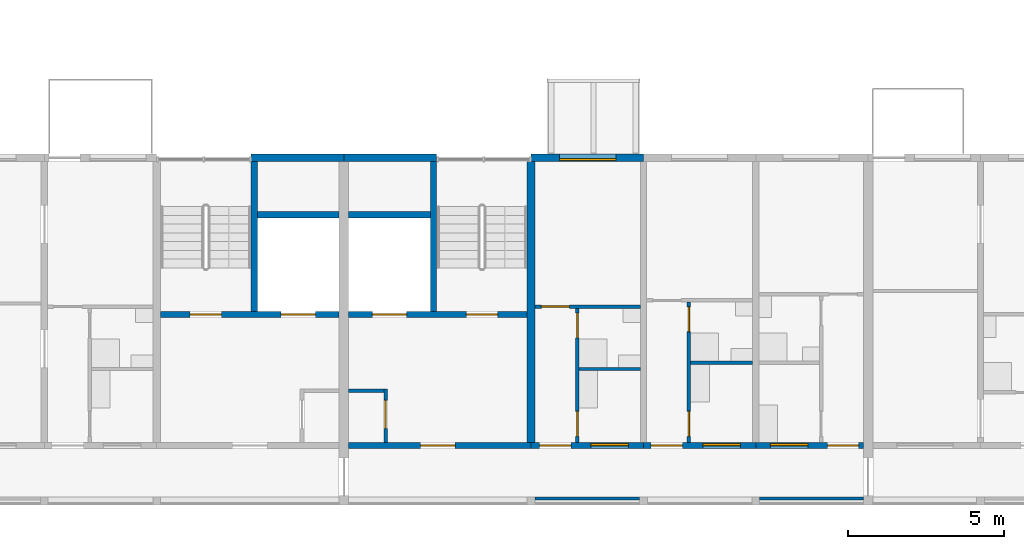
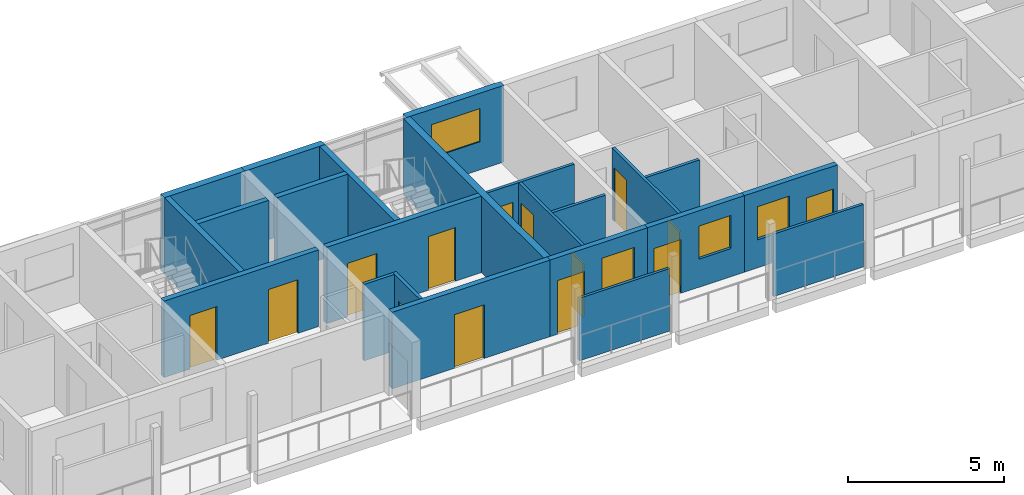
# One storey, part 48 of 87: 23 walls, 14 doors, 4 windows, 18 openings.
"""IFC4 building model written with IfcOpenShell, lengths in metres."""

import ifcopenshell
import ifcopenshell.guid

model = None  # the IFC model being written
_history = None  # IfcOwnerHistory: only IFC2X3 demands one
_inside = {}  # id of a spatial element -> (the spatial element, [elements in it])
_under = {}  # id of a project, library or spatial element -> (it, [spatial elements below it])
_declared = {}  # id of a project -> (the project, [libraries it declares])
_typed = {}  # id of a type object -> (the type object, [elements of that type])
_made_of = {}  # id of a material, layer set ... -> (it, [elements and type objects made of it])


def new_model(schema):
    """Start an empty IFC model of exactly this schema.

    Asked for "IFC4X3", IfcOpenShell would pick the latest addendum, in which some entities
    have other attributes; the version numbers below select the first issue.
    IFC2X3 requires an IfcOwnerHistory on every rooted entity: one is made here for all.
    """
    global model, _history
    if schema == "IFC4X3":
        model = ifcopenshell.file(schema_version=(4, 3, 0, 0))
    else:
        model = ifcopenshell.file(schema=schema)
    _inside.clear()
    _under.clear()
    _declared.clear()
    _typed.clear()
    _made_of.clear()
    _history = None
    if model.schema == "IFC2X3":
        org = make("IfcOrganization", Name="unknown")
        user = make(
            "IfcPersonAndOrganization",
            ThePerson=make("IfcPerson", FamilyName="unknown"),
            TheOrganization=org,
        )
        app = make(
            "IfcApplication",
            ApplicationDeveloper=org,
            Version="unknown",
            ApplicationFullName="unknown",
            ApplicationIdentifier="unknown",
        )
        _history = make(
            "IfcOwnerHistory",
            OwningUser=user,
            OwningApplication=app,
            ChangeAction="ADDED",
            CreationDate=0,
        )
    return model


def make(cls, **values):
    """One entity of the class cls with the attributes given. An attribute that is None is left unset."""
    return model.create_entity(
        cls, **{name: value for name, value in values.items() if value is not None}
    )


def rooted(cls, **values):
    """An entity with a GlobalId (a new one), such as an element, a storey or a relation."""
    return make(cls, GlobalId=ifcopenshell.guid.new(), OwnerHistory=_history, **values)


def si_unit(unit_type, name, prefix=None):
    """IfcSIUnit, for example si_unit("LENGTHUNIT", "METRE", prefix="MILLI")."""
    return make("IfcSIUnit", UnitType=unit_type, Prefix=prefix, Name=name)


def assignment(units):
    """IfcUnitAssignment: the units of a project."""
    return None if units is None else make("IfcUnitAssignment", Units=units)


def point(xyz):
    """IfcCartesianPoint."""
    return None if xyz is None else make("IfcCartesianPoint", Coordinates=xyz)


def direction(xyz):
    """IfcDirection."""
    return None if xyz is None else make("IfcDirection", DirectionRatios=xyz)


def frame(location, z_axis=None, x_axis=None):
    """IfcAxis2Placement3D, a coordinate frame: its origin and axes. An axis left out is left unset."""
    return make(
        "IfcAxis2Placement3D",
        Location=point(location),
        Axis=direction(z_axis),
        RefDirection=direction(x_axis),
    )


def frame_2d(location, x_axis=None):
    """IfcAxis2Placement2D, a coordinate frame in the plane: its origin and x axis."""
    return make(
        "IfcAxis2Placement2D", Location=point(location), RefDirection=direction(x_axis)
    )


def origin():
    """The frame at (0, 0, 0) with its axes left unset."""
    return frame((0.0, 0.0, 0.0))


def place(relative_to, where):
    """IfcLocalPlacement: puts the frame where relative to a parent placement (None: the world)."""
    return make(
        "IfcLocalPlacement", PlacementRelTo=relative_to, RelativePlacement=where
    )


def context(
    kind, dimensions, precision=None, world=None, true_north=None, identifier=None
):
    """IfcGeometricRepresentationContext, for example the 3D "Model" context."""
    return make(
        "IfcGeometricRepresentationContext",
        ContextIdentifier=identifier,
        ContextType=kind,
        CoordinateSpaceDimension=dimensions,
        Precision=precision,
        WorldCoordinateSystem=world,
        TrueNorth=true_north,
    )


def subcontext(parent, identifier, kind, view, scale=None):
    """IfcGeometricRepresentationSubContext, for example "Body" below "Model"."""
    return make(
        "IfcGeometricRepresentationSubContext",
        ContextIdentifier=identifier,
        ContextType=kind,
        ParentContext=parent,
        TargetScale=scale,
        TargetView=view,
    )


def project(units=None, contexts=None):
    """IfcProject with its units and contexts."""
    return rooted(
        "IfcProject",
        Name="project",
        RepresentationContexts=contexts,
        UnitsInContext=assignment(units),
    )


def spatial(cls, under=None, at=None, **own):
    """A site, building, storey or space (cls), placed at a placement, below another one or the project."""
    s = rooted(cls, ObjectPlacement=at, **own)
    if under is not None:
        _under.setdefault(under.id(), (under, []))[1].append(s)
    return s


def profile(cls, at=None, kind="AREA", **sizes):
    """A parametric profile (cls). Its sizes go by their IFC names, for example OverallWidth=200.0."""
    return make(cls, ProfileType=kind, Position=at, **sizes)


def rectangle(**sizes):
    """IfcRectangleProfileDef."""
    return profile("IfcRectangleProfileDef", **sizes)


def extrude(swept, where, along, depth):
    """IfcExtrudedAreaSolid: the profile swept, set in the frame where, extruded along a direction by depth."""
    return make(
        "IfcExtrudedAreaSolid",
        SweptArea=swept,
        Position=where,
        ExtrudedDirection=direction(along),
        Depth=depth,
    )


def shape(context_of_items, identifier, shape_type, items):
    """IfcShapeRepresentation: the items that make up one representation, for example the "Body"."""
    return make(
        "IfcShapeRepresentation",
        ContextOfItems=context_of_items,
        RepresentationIdentifier=identifier,
        RepresentationType=shape_type,
        Items=items,
    )


def material(Name=None, Category=None):
    """IfcMaterial."""
    return make("IfcMaterial", Name=Name, Category=Category)


def layer(
    of_material, thickness, ventilated=None, Name=None, Category=None, Priority=None
):
    """IfcMaterialLayer: one layer of a wall or slab, of a material (None: an air gap)."""
    return make(
        "IfcMaterialLayer",
        Material=of_material,
        LayerThickness=thickness,
        IsVentilated=ventilated,
        Name=Name,
        Category=Category,
        Priority=Priority,
    )


def layer_set(layers, Name=None):
    """IfcMaterialLayerSet."""
    return make("IfcMaterialLayerSet", MaterialLayers=layers, LayerSetName=Name)


def made_of(thing, what):
    """Note that an element or type object is made of a material, layer set ...; save() writes the relation."""
    if what is not None:
        _made_of.setdefault(what.id(), (what, []))[1].append(thing)
    return thing


def type_object(cls, material=None, **own):
    """A type object (cls), such as IfcWallType, which elements share."""
    return made_of(rooted(cls, **own), material)


def element(
    cls,
    number,
    at=None,
    inside=None,
    cuts=None,
    type_object=None,
    material=None,
    context=None,
    identifier="Body",
    shape_type=None,
    held_by="IfcProductDefinitionShape",
    body=None,
    shapes=None,
    **own,
):
    """One element of the class cls, such as IfcWall. Its Tag is "e" and its number.

    at: its placement. inside: the storey or other place that contains it. cuts: it is an
    opening in that element (IfcRelVoidsElement). A single representation is given by context,
    identifier, shape_type and body (its items); several are given by shapes. held_by: the class
    of the entity that holds the representations. save() writes the other relations.
    """
    e = rooted(cls, Tag="e%d" % number, ObjectPlacement=at, **own)
    if body is not None:
        shapes = [shape(context, identifier, shape_type, body)]
    if shapes is not None:
        e.Representation = make(held_by, Representations=shapes)
    if inside is not None:
        _inside.setdefault(inside.id(), (inside, []))[1].append(e)
    if cuts is not None:
        rooted(
            "IfcRelVoidsElement", RelatingBuildingElement=cuts, RelatedOpeningElement=e
        )
    if type_object is not None:
        _typed.setdefault(type_object.id(), (type_object, []))[1].append(e)
    return made_of(e, material)


def fill(opening, filler):
    """IfcRelFillsElement: the door or window that sits in an opening."""
    return rooted(
        "IfcRelFillsElement",
        RelatingOpeningElement=opening,
        RelatedBuildingElement=filler,
    )


def aggregate(whole, parts):
    """IfcRelAggregates: a whole, such as a stair, and the parts it consists of."""
    return rooted("IfcRelAggregates", RelatingObject=whole, RelatedObjects=parts)


def save(model, path):
    """Write the relations noted so far, then the file.

    IfcRelAggregates (storeys below a building ...), IfcRelContainedInSpatialStructure (elements
    in a storey), IfcRelDefinesByType, IfcRelAssociatesMaterial and IfcRelDeclares: one each for
    every whole, place, type object, material and project.
    """
    for whole, parts in _under.values():
        aggregate(whole, parts)
    for where, things in _inside.values():
        rooted(
            "IfcRelContainedInSpatialStructure",
            RelatedElements=things,
            RelatingStructure=where,
        )
    for kind, things in _typed.values():
        rooted("IfcRelDefinesByType", RelatedObjects=things, RelatingType=kind)
    for what, things in _made_of.values():
        rooted("IfcRelAssociatesMaterial", RelatedObjects=things, RelatingMaterial=what)
    for by, libraries in _declared.values():
        rooted("IfcRelDeclares", RelatingContext=by, RelatedDefinitions=libraries)
    model.write(path)


model = new_model("IFC4")

# Units and contexts
model_context = context("Model", 3, precision=1e-05, world=origin(), true_north=direction((0.0, 1.0)))
body_context = subcontext(model_context, "Body", "Model", "MODEL_VIEW")
ifc_project = project(units=[si_unit("LENGTHUNIT", "METRE"), si_unit("AREAUNIT", "SQUARE_METRE"), si_unit("VOLUMEUNIT", "CUBIC_METRE"), si_unit("PLANEANGLEUNIT", "RADIAN"), si_unit("MASSUNIT", "GRAM", prefix="KILO")], contexts=[model_context])

# Site, building, storey
site_placement = place(None, origin())
site = spatial("IfcSite", under=ifc_project, at=site_placement, CompositionType="ELEMENT")
building_placement = place(site_placement, origin())
building = spatial("IfcBuilding", under=site, at=building_placement, Name="Ridgestep Commons", CompositionType="ELEMENT")
storey_placement = place(building_placement, frame((0.0, 0.0, 27.0)))
storey = spatial("IfcBuildingStorey", under=building, at=storey_placement, Name="L09", CompositionType="ELEMENT", Elevation=27.0)

# Wall
ifc_material_1 = material(Name="Concrete C30/37", Category="concrete")
ifc_layer_1 = layer(ifc_material_1, 0.25)
ifc_layer_set_1 = layer_set([ifc_layer_1], Name="Core cross wall 250")
wall_type_1 = type_object("IfcWallType", Name="Core cross wall 250", PredefinedType="SHEAR", material=ifc_layer_set_1)
wall_1_placement = place(storey_placement, frame((169.60009765625, 13.75, 0.0), z_axis=(0.0, 0.0, 1.0), x_axis=(0.0, 1.0, 0.0)))
element("IfcWall", 1, at=wall_1_placement, inside=storey, type_object=wall_type_1, Name="Cross wall D-09-1696", PredefinedType="SHEAR", context=body_context, shape_type="SweptSolid", body=[
    extrude(rectangle(XDim=9.0, YDim=0.25, at=frame_2d((4.5, 0.0))), origin(), (0.0, 0.0, 1.0), 3.0),
])

# Wall, opening, door
ifc_material_2 = material(Name="Concrete C30/37", Category="concrete")
ifc_layer_2 = layer(ifc_material_2, 0.199951171875)
ifc_layer_set_2 = layer_set([ifc_layer_2], Name="Core south wall 200")
wall_type_2 = type_object("IfcWallType", Name="Core south wall 200", PredefinedType="SHEAR", material=ifc_layer_set_2)
wall_2_placement = place(storey_placement, frame((163.75, 13.64990234375, 0.0), z_axis=(0.0, 0.0, 1.0), x_axis=(1.0, 0.0, 0.0)))
wall_2 = element("IfcWall", 2, at=wall_2_placement, inside=storey, type_object=wall_type_2, Name="Core south wall D2C L09", PredefinedType="SHEAR", context=body_context, shape_type="SweptSolid", body=[
    extrude(rectangle(XDim=5.85009765625, YDim=0.199951171875, at=frame_2d((2.925048828125, 0.0))), origin(), (0.0, 0.0, 1.0), 3.0),
])
opening_1_placement = place(wall_2_placement, frame((2.3125, 0.0, 0.0)))
opening_1 = element("IfcOpeningElement", 3, at=opening_1_placement, cuts=wall_2, Name="Opening D2C/09/1", PredefinedType="OPENING", context=body_context, shape_type="SweptSolid", body=[
    extrude(rectangle(XDim=1.10009765625, YDim=2.10009765625, at=frame_2d((0.550048828125, 1.050048828125))), frame((0.0, 0.10986328125, 0.0), z_axis=(0.0, -1.0, 0.0), x_axis=(1.0, 0.0, 0.0)), (0.0, 0.0, 1.0), 0.219970703125),
])
ifc_material_3 = material(Name="Steel fire door", Category="steel")
door_type_1 = type_object("IfcDoorType", Name="Lobby door 1100 x 2100 FD60", OperationType="NOTDEFINED", PredefinedType="DOOR", material=ifc_material_3)
door_1_placement = place(opening_1_placement, origin())
door_1 = element("IfcDoor", 4, at=door_1_placement, inside=storey, type_object=door_type_1, Name="Lobby door D2C/09/1", OperationType="SINGLE_SWING_LEFT", OverallHeight=2.10009765625, OverallWidth=1.10009765625, PredefinedType="DOOR", context=body_context, shape_type="SweptSolid", body=[
    extrude(rectangle(XDim=1.10009765625, YDim=2.10009765625, at=frame_2d((0.550048828125, 1.050048828125))), frame((0.0, 0.02490234375, 0.0), z_axis=(0.0, -1.0, 0.0), x_axis=(1.0, 0.0, 0.0)), (0.0, 0.0, 1.0), 0.050048828125),
])
fill(opening_1, door_1)

ifc_material_4 = material(Name="Concrete C30/37", Category="concrete")
ifc_layer_3 = layer(ifc_material_4, 0.1201171875)
ifc_layer_set_3 = layer_set([ifc_layer_3], Name="Core wall 120")
wall_type_3 = type_object("IfcWallType", Name="Core wall 120", PredefinedType="SHEAR", material=ifc_layer_set_3)
wall_3_placement = place(storey_placement, frame((164.93994140625, 13.75, 0.0), z_axis=(0.0, 0.0, 1.0), x_axis=(0.0, 1.0, 0.0)))
wall_3 = element("IfcWall", 5, at=wall_3_placement, inside=storey, type_object=wall_type_3, Name="Core riser w wall D2C L09", PredefinedType="SHEAR", context=body_context, shape_type="SweptSolid", body=[
    extrude(rectangle(XDim=1.719970703125, YDim=0.1201171875, at=frame_2d((0.85986328125, 0.0))), origin(), (0.0, 0.0, 1.0), 3.0),
])
opening_2_placement = place(wall_3_placement, frame((0.449951171875, 0.0, 0.0)))
opening_2 = element("IfcOpeningElement", 6, at=opening_2_placement, cuts=wall_3, Name="Opening D2C/09/4", PredefinedType="OPENING", context=body_context, shape_type="SweptSolid", body=[
    extrude(rectangle(XDim=0.89990234375, YDim=2.10009765625, at=frame_2d((0.449951171875, 1.050048828125))), frame((0.0, 0.070068359375, 0.0), z_axis=(0.0, -1.0, 0.0), x_axis=(1.0, 0.0, 0.0)), (0.0, 0.0, 1.0), 0.14013671875),
])
ifc_material_5 = material(Name="Steel fire door", Category="steel")
door_type_2 = type_object("IfcDoorType", Name="Riser door 900 x 2100 FD60", OperationType="NOTDEFINED", PredefinedType="DOOR", material=ifc_material_5)
door_2_placement = place(opening_2_placement, origin())
door_2 = element("IfcDoor", 7, at=door_2_placement, inside=storey, type_object=door_type_2, Name="Riser door D2C/09/4", OperationType="SINGLE_SWING_RIGHT", OverallHeight=2.10009765625, OverallWidth=0.89990234375, PredefinedType="DOOR", context=body_context, shape_type="SweptSolid", body=[
    extrude(rectangle(XDim=0.89990234375, YDim=2.10009765625, at=frame_2d((0.449951171875, 1.050048828125))), frame((0.0, 0.02490234375, 0.0), z_axis=(0.0, -1.0, 0.0), x_axis=(1.0, 0.0, 0.0)), (0.0, 0.0, 1.0), 0.050048828125),
])
fill(opening_2, door_2)

# Wall
wall_4_placement = place(storey_placement, frame((163.75, 15.409912109375, 0.0), z_axis=(0.0, 0.0, 1.0), x_axis=(1.0, 0.0, 0.0)))
element("IfcWall", 8, at=wall_4_placement, inside=storey, type_object=wall_type_3, Name="Core riser n wall D2C L09", PredefinedType="SHEAR", context=body_context, shape_type="SweptSolid", body=[
    extrude(rectangle(XDim=1.1298828125, YDim=0.1201171875, at=frame_2d((0.56494140625, 0.0))), origin(), (0.0, 0.0, 1.0), 3.0),
])

# Wall, openings, doors
ifc_material_6 = material(Name="Concrete C30/37", Category="concrete")
ifc_layer_4 = layer(ifc_material_6, 0.199951171875)
ifc_layer_set_4 = layer_set([ifc_layer_4], Name="Core wall 200")
wall_type_4 = type_object("IfcWallType", Name="Core wall 200", PredefinedType="SHEAR", material=ifc_layer_set_4)
wall_5_placement = place(storey_placement, frame((157.72509765625, 17.85009765625, 0.0), z_axis=(0.0, 0.0, 1.0), x_axis=(1.0, 0.0, 0.0)))
wall_5 = element("IfcWall", 9, at=wall_5_placement, inside=storey, type_object=wall_type_4, Name="Core lobby wall D1C L09", PredefinedType="SHEAR", context=body_context, shape_type="SweptSolid", body=[
    extrude(rectangle(XDim=5.724853515625, YDim=0.199951171875, at=frame_2d((2.8623046875, 0.0))), origin(), (0.0, 0.0, 1.0), 3.0),
])
opening_3_placement = place(wall_5_placement, frame((0.949951171875, 0.0, 0.0)))
opening_3 = element("IfcOpeningElement", 10, at=opening_3_placement, cuts=wall_5, Name="Opening D1C/09/2", PredefinedType="OPENING", context=body_context, shape_type="SweptSolid", body=[
    extrude(rectangle(XDim=1.0, YDim=2.10009765625, at=frame_2d((0.5, 1.050048828125))), frame((0.0, 0.10986328125, 0.0), z_axis=(0.0, -1.0, 0.0), x_axis=(1.0, 0.0, 0.0)), (0.0, 0.0, 1.0), 0.219970703125),
])
opening_4_placement = place(wall_5_placement, frame((3.862548828125, 0.0, 0.0)))
opening_4 = element("IfcOpeningElement", 11, at=opening_4_placement, cuts=wall_5, Name="Opening D1C/09/3", PredefinedType="OPENING", context=body_context, shape_type="SweptSolid", body=[
    extrude(rectangle(XDim=1.10009765625, YDim=2.10009765625, at=frame_2d((0.550048828125, 1.050048828125))), frame((0.0, 0.10986328125, 0.0), z_axis=(0.0, -1.0, 0.0), x_axis=(1.0, 0.0, 0.0)), (0.0, 0.0, 1.0), 0.219970703125),
])
ifc_material_7 = material(Name="Stainless steel", Category="steel")
door_type_3 = type_object("IfcDoorType", Name="Lift landing door 1100 x 2100 FD60", OperationType="DOUBLE_DOOR_SLIDING", PredefinedType="DOOR", material=ifc_material_7)
door_3_placement = place(opening_4_placement, origin())
door_3 = element("IfcDoor", 12, at=door_3_placement, inside=storey, type_object=door_type_3, Name="Landing door LD D1C L09", OperationType="DOUBLE_DOOR_SLIDING", OverallHeight=2.10009765625, OverallWidth=1.10009765625, PredefinedType="DOOR", context=body_context, shape_type="SweptSolid", body=[
    extrude(rectangle(XDim=1.10009765625, YDim=2.10009765625, at=frame_2d((0.550048828125, 1.050048828125))), frame((0.0, 0.02490234375, 0.0), z_axis=(0.0, -1.0, 0.0), x_axis=(1.0, 0.0, 0.0)), (0.0, 0.0, 1.0), 0.050048828125),
])
fill(opening_4, door_3)
ifc_material_8 = material(Name="Steel fire door", Category="steel")
door_type_4 = type_object("IfcDoorType", Name="Stair door 1000 x 2100 FD60", OperationType="NOTDEFINED", PredefinedType="DOOR", material=ifc_material_8)
door_4_placement = place(opening_3_placement, origin())
door_4 = element("IfcDoor", 13, at=door_4_placement, inside=storey, type_object=door_type_4, Name="Stair door D1C/09/2", OperationType="SINGLE_SWING_RIGHT", OverallHeight=2.10009765625, OverallWidth=1.0, PredefinedType="DOOR", context=body_context, shape_type="SweptSolid", body=[
    extrude(rectangle(XDim=1.0, YDim=2.10009765625, at=frame_2d((0.5, 1.050048828125))), frame((0.0, 0.02490234375, 0.0), z_axis=(0.0, -1.0, 0.0), x_axis=(1.0, 0.0, 0.0)), (0.0, 0.0, 1.0), 0.050048828125),
])
fill(opening_3, door_4)

# Walls
wall_6_placement = place(storey_placement, frame((160.72509765625, 17.949951171875, 0.0), z_axis=(0.0, 0.0, 1.0), x_axis=(0.0, 1.0, 0.0)))
element("IfcWall", 14, at=wall_6_placement, inside=storey, type_object=wall_type_4, Name="Core stair wall D1C L09", PredefinedType="SHEAR", context=body_context, shape_type="SweptSolid", body=[
    extrude(rectangle(XDim=4.800048828125, YDim=0.199951171875, at=frame_2d((2.39990234375, 0.0))), origin(), (0.0, 0.0, 1.0), 3.0),
])
wall_7_placement = place(storey_placement, frame((160.824951171875, 21.050048828125, 0.0), z_axis=(0.0, 0.0, 1.0), x_axis=(1.0, 0.0, 0.0)))
element("IfcWall", 15, at=wall_7_placement, inside=storey, type_object=wall_type_4, Name="Core duct wall D1C L09", PredefinedType="SHEAR", context=body_context, shape_type="SweptSolid", body=[
    extrude(rectangle(XDim=2.625, YDim=0.199951171875, at=frame_2d((1.3125, 0.0))), origin(), (0.0, 0.0, 1.0), 3.0),
])

# Wall, openings, doors
wall_8_placement = place(storey_placement, frame((163.75, 17.85009765625, 0.0), z_axis=(0.0, 0.0, 1.0), x_axis=(1.0, 0.0, 0.0)))
wall_8 = element("IfcWall", 16, at=wall_8_placement, inside=storey, type_object=wall_type_4, Name="Core lobby wall D2C L09", PredefinedType="SHEAR", context=body_context, shape_type="SweptSolid", body=[
    extrude(rectangle(XDim=5.72509765625, YDim=0.199951171875, at=frame_2d((2.862548828125, 0.0))), origin(), (0.0, 0.0, 1.0), 3.0),
])
opening_5_placement = place(wall_8_placement, frame((3.77490234375, 0.0, 0.0)))
opening_5 = element("IfcOpeningElement", 17, at=opening_5_placement, cuts=wall_8, Name="Opening D2C/09/2", PredefinedType="OPENING", context=body_context, shape_type="SweptSolid", body=[
    extrude(rectangle(XDim=1.0, YDim=2.10009765625, at=frame_2d((0.5, 1.050048828125))), frame((0.0, 0.10986328125, 0.0), z_axis=(0.0, -1.0, 0.0), x_axis=(1.0, 0.0, 0.0)), (0.0, 0.0, 1.0), 0.219970703125),
])
opening_6_placement = place(wall_8_placement, frame((0.762451171875, 0.0, 0.0)))
opening_6 = element("IfcOpeningElement", 18, at=opening_6_placement, cuts=wall_8, Name="Opening D2C/09/3", PredefinedType="OPENING", context=body_context, shape_type="SweptSolid", body=[
    extrude(rectangle(XDim=1.10009765625, YDim=2.10009765625, at=frame_2d((0.550048828125, 1.050048828125))), frame((0.0, 0.10986328125, 0.0), z_axis=(0.0, -1.0, 0.0), x_axis=(1.0, 0.0, 0.0)), (0.0, 0.0, 1.0), 0.219970703125),
])
door_5_placement = place(opening_6_placement, origin())
door_5 = element("IfcDoor", 19, at=door_5_placement, inside=storey, type_object=door_type_3, Name="Landing door LD D2C L09", OperationType="DOUBLE_DOOR_SLIDING", OverallHeight=2.10009765625, OverallWidth=1.10009765625, PredefinedType="DOOR", context=body_context, shape_type="SweptSolid", body=[
    extrude(rectangle(XDim=1.10009765625, YDim=2.10009765625, at=frame_2d((0.550048828125, 1.050048828125))), frame((0.0, 0.02490234375, 0.0), z_axis=(0.0, -1.0, 0.0), x_axis=(1.0, 0.0, 0.0)), (0.0, 0.0, 1.0), 0.050048828125),
])
fill(opening_6, door_5)
door_6_placement = place(opening_5_placement, origin())
door_6 = element("IfcDoor", 20, at=door_6_placement, inside=storey, type_object=door_type_4, Name="Stair door D2C/09/2", OperationType="SINGLE_SWING_RIGHT", OverallHeight=2.10009765625, OverallWidth=1.0, PredefinedType="DOOR", context=body_context, shape_type="SweptSolid", body=[
    extrude(rectangle(XDim=1.0, YDim=2.10009765625, at=frame_2d((0.5, 1.050048828125))), frame((0.0, 0.02490234375, 0.0), z_axis=(0.0, -1.0, 0.0), x_axis=(1.0, 0.0, 0.0)), (0.0, 0.0, 1.0), 0.050048828125),
])
fill(opening_5, door_6)

# Walls
wall_9_placement = place(storey_placement, frame((166.47509765625, 17.949951171875, 0.0), z_axis=(0.0, 0.0, 1.0), x_axis=(0.0, 1.0, 0.0)))
element("IfcWall", 21, at=wall_9_placement, inside=storey, type_object=wall_type_4, Name="Core stair wall D2C L09", PredefinedType="SHEAR", context=body_context, shape_type="SweptSolid", body=[
    extrude(rectangle(XDim=4.800048828125, YDim=0.199951171875, at=frame_2d((2.39990234375, 0.0))), origin(), (0.0, 0.0, 1.0), 3.0),
])
wall_10_placement = place(storey_placement, frame((163.75, 21.050048828125, 0.0), z_axis=(0.0, 0.0, 1.0), x_axis=(1.0, 0.0, 0.0)))
element("IfcWall", 22, at=wall_10_placement, inside=storey, type_object=wall_type_4, Name="Core duct wall D2C L09", PredefinedType="SHEAR", context=body_context, shape_type="SweptSolid", body=[
    extrude(rectangle(XDim=2.625, YDim=0.199951171875, at=frame_2d((1.3125, 0.0))), origin(), (0.0, 0.0, 1.0), 3.0),
])
ifc_material_9 = material(Name="Precast concrete C40/50", Category="concrete")
ifc_layer_5 = layer(ifc_material_9, 0.25)
ifc_layer_set_5 = layer_set([ifc_layer_5], Name="North facade panel 250")
wall_type_5 = type_object("IfcWallType", Name="North facade panel 250", PredefinedType="SOLIDWALL", material=ifc_layer_set_5)
wall_11_placement = place(storey_placement, frame((160.625, 22.875, 0.0), z_axis=(0.0, 0.0, 1.0), x_axis=(1.0, 0.0, 0.0)))
element("IfcWall", 23, at=wall_11_placement, inside=storey, type_object=wall_type_5, Name="North panel D1C L09", PredefinedType="SOLIDWALL", context=body_context, shape_type="SweptSolid", body=[
    extrude(rectangle(XDim=2.97509765625, YDim=0.25, at=frame_2d((1.487548828125, 0.0))), origin(), (0.0, 0.0, 1.0), 3.0),
])
wall_12_placement = place(storey_placement, frame((163.60009765625, 22.875, 0.0), z_axis=(0.0, 0.0, 1.0), x_axis=(1.0, 0.0, 0.0)))
element("IfcWall", 24, at=wall_12_placement, inside=storey, type_object=wall_type_5, Name="North panel D2C L09", PredefinedType="SOLIDWALL", context=body_context, shape_type="SweptSolid", body=[
    extrude(rectangle(XDim=2.974853515625, YDim=0.25, at=frame_2d((1.4873046875, 0.0))), origin(), (0.0, 0.0, 1.0), 3.0),
])

# Wall, opening, window
wall_13_placement = place(storey_placement, frame((169.60009765625, 22.875, 0.0), z_axis=(0.0, 0.0, 1.0), x_axis=(1.0, 0.0, 0.0)))
wall_13 = element("IfcWall", 25, at=wall_13_placement, inside=storey, type_object=wall_type_5, Name="North panel D2T3 L09", PredefinedType="SOLIDWALL", context=body_context, shape_type="SweptSolid", body=[
    extrude(rectangle(XDim=3.599853515625, YDim=0.25, at=frame_2d((1.7998046875, 0.0))), origin(), (0.0, 0.0, 1.0), 3.0),
])
opening_7_placement = place(wall_13_placement, frame((0.91259765625, 0.0, 1.10009765625)))
opening_7 = element("IfcOpeningElement", 26, at=opening_7_placement, cuts=wall_13, Name="Opening W18", PredefinedType="OPENING", context=body_context, shape_type="SweptSolid", body=[
    extrude(rectangle(XDim=1.800048828125, YDim=1.300048828125, at=frame_2d((0.89990234375, 0.64990234375))), frame((0.0, 0.135009765625, 0.0), z_axis=(0.0, -1.0, 0.0), x_axis=(1.0, 0.0, 0.0)), (0.0, 0.0, 1.0), 0.27001953125),
])
ifc_material_10 = material(Name="Aluminium 6063-T6 and glass", Category="aluminium")
window_type_1 = type_object("IfcWindowType", Name="Flat window 1800 x 1300", PartitioningType="DOUBLE_PANEL_VERTICAL", PredefinedType="WINDOW", material=ifc_material_10)
window_1_placement = place(opening_7_placement, origin())
window_1 = element("IfcWindow", 27, at=window_1_placement, inside=storey, type_object=window_type_1, Name="Window D2-09c 2", OverallHeight=1.300048828125, OverallWidth=1.800048828125, PartitioningType="SINGLE_PANEL", PredefinedType="WINDOW", context=body_context, shape_type="SweptSolid", body=[
    extrude(rectangle(XDim=1.800048828125, YDim=1.300048828125, at=frame_2d((0.89990234375, 0.64990234375))), frame((0.0, -0.02490234375, 0.0), z_axis=(0.0, -1.0, 0.0), x_axis=(1.0, 0.0, 0.0)), (0.0, 0.0, 1.0), 0.06005859375),
])
fill(opening_7, window_1)

# Wall, openings, doors
ifc_material_11 = material(Name="Common brick 110 mm", Category="masonry")
ifc_layer_6 = layer(ifc_material_11, 0.110107421875)
ifc_layer_set_6 = layer_set([ifc_layer_6], Name="Partition 110")
wall_type_6 = type_object("IfcWallType", Name="Partition 110", PredefinedType="PARTITIONING", material=ifc_layer_set_6)
wall_14_placement = place(storey_placement, frame((174.655029296875, 13.75, 0.0), z_axis=(0.0, 0.0, 1.0), x_axis=(0.0, 1.0, 0.0)))
wall_14 = element("IfcWall", 28, at=wall_14_placement, inside=storey, type_object=wall_type_6, Name="Partition D2-09b", PredefinedType="PARTITIONING", context=body_context, shape_type="SweptSolid", body=[
    extrude(rectangle(XDim=4.5, YDim=0.110107421875, at=frame_2d((2.25, 0.0))), origin(), (0.0, 0.0, 1.0), 2.800048828125),
])
opening_8_placement = place(wall_14_placement, frame((0.199951171875, 0.0, 0.0)))
opening_8 = element("IfcOpeningElement", 29, at=opening_8_placement, cuts=wall_14, Name="Opening D2-09b/2", PredefinedType="OPENING", context=body_context, shape_type="SweptSolid", body=[
    extrude(rectangle(XDim=0.800048828125, YDim=2.10009765625, at=frame_2d((0.39990234375, 1.050048828125))), frame((0.0, 0.06494140625, 0.0), z_axis=(0.0, -1.0, 0.0), x_axis=(1.0, 0.0, 0.0)), (0.0, 0.0, 1.0), 0.130126953125),
])
opening_9_placement = place(wall_14_placement, frame((3.550048828125, 0.0, 0.0)))
opening_9 = element("IfcOpeningElement", 30, at=opening_9_placement, cuts=wall_14, Name="Opening D2-09b/3", PredefinedType="OPENING", context=body_context, shape_type="SweptSolid", body=[
    extrude(rectangle(XDim=0.800048828125, YDim=2.10009765625, at=frame_2d((0.39990234375, 1.050048828125))), frame((0.0, 0.06494140625, 0.0), z_axis=(0.0, -1.0, 0.0), x_axis=(1.0, 0.0, 0.0)), (0.0, 0.0, 1.0), 0.130126953125),
])
ifc_material_12 = material(Name="Timber door leaf", Category="wood")
door_type_5 = type_object("IfcDoorType", Name="Internal door 800 x 2100", OperationType="NOTDEFINED", PredefinedType="DOOR", material=ifc_material_12)
door_7_placement = place(opening_8_placement, origin())
door_7 = element("IfcDoor", 31, at=door_7_placement, inside=storey, type_object=door_type_5, Name="Internal door D2-09b/2", OperationType="SINGLE_SWING_RIGHT", OverallHeight=2.10009765625, OverallWidth=0.800048828125, PredefinedType="DOOR", context=body_context, shape_type="SweptSolid", body=[
    extrude(rectangle(XDim=0.800048828125, YDim=2.10009765625, at=frame_2d((0.39990234375, 1.050048828125))), frame((0.0, 0.02490234375, 0.0), z_axis=(0.0, -1.0, 0.0), x_axis=(1.0, 0.0, 0.0)), (0.0, 0.0, 1.0), 0.050048828125),
])
fill(opening_8, door_7)
door_8_placement = place(opening_9_placement, origin())
door_8 = element("IfcDoor", 32, at=door_8_placement, inside=storey, type_object=door_type_5, Name="Internal door D2-09b/3", OperationType="SINGLE_SWING_LEFT", OverallHeight=2.10009765625, OverallWidth=0.800048828125, PredefinedType="DOOR", context=body_context, shape_type="SweptSolid", body=[
    extrude(rectangle(XDim=0.800048828125, YDim=2.10009765625, at=frame_2d((0.39990234375, 1.050048828125))), frame((0.0, 0.02490234375, 0.0), z_axis=(0.0, -1.0, 0.0), x_axis=(1.0, 0.0, 0.0)), (0.0, 0.0, 1.0), 0.050048828125),
])
fill(opening_9, door_8)

# Wall
wall_15_placement = place(storey_placement, frame((174.7099609375, 16.304931640625, 0.0), z_axis=(0.0, 0.0, 1.0), x_axis=(1.0, 0.0, 0.0)))
element("IfcWall", 33, at=wall_15_placement, inside=storey, type_object=wall_type_6, Name="Partition D2-09b", PredefinedType="PARTITIONING", context=body_context, shape_type="SweptSolid", body=[
    extrude(rectangle(XDim=1.989990234375, YDim=0.110107421875, at=frame_2d((0.9951171875, 0.0))), origin(), (0.0, 0.0, 1.0), 2.800048828125),
])

# Wall, openings, doors
wall_16_placement = place(storey_placement, frame((171.080078125, 13.75, 0.0), z_axis=(0.0, 0.0, 1.0), x_axis=(0.0, 1.0, 0.0)))
wall_16 = element("IfcWall", 34, at=wall_16_placement, inside=storey, type_object=wall_type_6, Name="Partition D2-09c", PredefinedType="PARTITIONING", context=body_context, shape_type="SweptSolid", body=[
    extrude(rectangle(XDim=4.300048828125, YDim=0.110107421875, at=frame_2d((2.14990234375, 0.0))), origin(), (0.0, 0.0, 1.0), 2.800048828125),
])
opening_10_placement = place(wall_16_placement, frame((0.199951171875, 0.0, 0.0)))
opening_10 = element("IfcOpeningElement", 35, at=opening_10_placement, cuts=wall_16, Name="Opening D2-09c/2", PredefinedType="OPENING", context=body_context, shape_type="SweptSolid", body=[
    extrude(rectangle(XDim=0.800048828125, YDim=2.10009765625, at=frame_2d((0.39990234375, 1.050048828125))), frame((0.0, 0.06494140625, 0.0), z_axis=(0.0, -1.0, 0.0), x_axis=(1.0, 0.0, 0.0)), (0.0, 0.0, 1.0), 0.130126953125),
])
opening_11_placement = place(wall_16_placement, frame((3.35009765625, 0.0, 0.0)))
opening_11 = element("IfcOpeningElement", 36, at=opening_11_placement, cuts=wall_16, Name="Opening D2-09c/3", PredefinedType="OPENING", context=body_context, shape_type="SweptSolid", body=[
    extrude(rectangle(XDim=0.800048828125, YDim=2.10009765625, at=frame_2d((0.39990234375, 1.050048828125))), frame((0.0, 0.06494140625, 0.0), z_axis=(0.0, -1.0, 0.0), x_axis=(1.0, 0.0, 0.0)), (0.0, 0.0, 1.0), 0.130126953125),
])
door_9_placement = place(opening_10_placement, origin())
door_9 = element("IfcDoor", 37, at=door_9_placement, inside=storey, type_object=door_type_5, Name="Internal door D2-09c/2", OperationType="SINGLE_SWING_RIGHT", OverallHeight=2.10009765625, OverallWidth=0.800048828125, PredefinedType="DOOR", context=body_context, shape_type="SweptSolid", body=[
    extrude(rectangle(XDim=0.800048828125, YDim=2.10009765625, at=frame_2d((0.39990234375, 1.050048828125))), frame((0.0, 0.02490234375, 0.0), z_axis=(0.0, -1.0, 0.0), x_axis=(1.0, 0.0, 0.0)), (0.0, 0.0, 1.0), 0.050048828125),
])
fill(opening_10, door_9)
door_10_placement = place(opening_11_placement, origin())
door_10 = element("IfcDoor", 38, at=door_10_placement, inside=storey, type_object=door_type_5, Name="Internal door D2-09c/3", OperationType="SINGLE_SWING_LEFT", OverallHeight=2.10009765625, OverallWidth=0.800048828125, PredefinedType="DOOR", context=body_context, shape_type="SweptSolid", body=[
    extrude(rectangle(XDim=0.800048828125, YDim=2.10009765625, at=frame_2d((0.39990234375, 1.050048828125))), frame((0.0, 0.02490234375, 0.0), z_axis=(0.0, -1.0, 0.0), x_axis=(1.0, 0.0, 0.0)), (0.0, 0.0, 1.0), 0.050048828125),
])
fill(opening_11, door_10)

# Wall
wall_17_placement = place(storey_placement, frame((171.135009765625, 16.10498046875, 0.0), z_axis=(0.0, 0.0, 1.0), x_axis=(1.0, 0.0, 0.0)))
element("IfcWall", 39, at=wall_17_placement, inside=storey, type_object=wall_type_6, Name="Partition D2-09c", PredefinedType="PARTITIONING", context=body_context, shape_type="SweptSolid", body=[
    extrude(rectangle(XDim=1.965087890625, YDim=0.110107421875, at=frame_2d((0.982421875, 0.0))), origin(), (0.0, 0.0, 1.0), 2.800048828125),
])

# Wall, opening, door
wall_18_placement = place(storey_placement, frame((169.72509765625, 18.10498046875, 0.0), z_axis=(0.0, 0.0, 1.0), x_axis=(1.0, 0.0, 0.0)))
wall_18 = element("IfcWall", 40, at=wall_18_placement, inside=storey, type_object=wall_type_6, Name="Partition D2-09c", PredefinedType="PARTITIONING", context=body_context, shape_type="SweptSolid", body=[
    extrude(rectangle(XDim=3.375, YDim=0.110107421875, at=frame_2d((1.6875, 0.0))), origin(), (0.0, 0.0, 1.0), 2.800048828125),
])
opening_12_placement = place(wall_18_placement, frame((0.199951171875, 0.0, 0.0)))
opening_12 = element("IfcOpeningElement", 41, at=opening_12_placement, cuts=wall_18, Name="Opening D2-09c/4", PredefinedType="OPENING", context=body_context, shape_type="SweptSolid", body=[
    extrude(rectangle(XDim=0.89990234375, YDim=2.10009765625, at=frame_2d((0.449951171875, 1.050048828125))), frame((0.0, 0.06494140625, 0.0), z_axis=(0.0, -1.0, 0.0), x_axis=(1.0, 0.0, 0.0)), (0.0, 0.0, 1.0), 0.130126953125),
])
ifc_material_13 = material(Name="Timber door leaf", Category="wood")
door_type_6 = type_object("IfcDoorType", Name="Internal door 900 x 2100", OperationType="NOTDEFINED", PredefinedType="DOOR", material=ifc_material_13)
door_11_placement = place(opening_12_placement, origin())
door_11 = element("IfcDoor", 42, at=door_11_placement, inside=storey, type_object=door_type_6, Name="Internal door D2-09c/4", OperationType="SINGLE_SWING_LEFT", OverallHeight=2.10009765625, OverallWidth=0.89990234375, PredefinedType="DOOR", context=body_context, shape_type="SweptSolid", body=[
    extrude(rectangle(XDim=0.89990234375, YDim=2.10009765625, at=frame_2d((0.449951171875, 1.050048828125))), frame((0.0, 0.02490234375, 0.0), z_axis=(0.0, -1.0, 0.0), x_axis=(1.0, 0.0, 0.0)), (0.0, 0.0, 1.0), 0.050048828125),
])
fill(opening_12, door_11)

# Walls
ifc_material_14 = material(Name="Precast concrete C30/37", Category="concrete")
ifc_layer_7 = layer(ifc_material_14, 0.10009765625)
ifc_layer_set_7 = layer_set([ifc_layer_7], Name="Perforated gallery screen 3325 x 2450 x 100")
wall_type_7 = type_object("IfcWallType", Name="Perforated gallery screen 3325 x 2450 x 100", PredefinedType="SOLIDWALL", material=ifc_layer_set_7)
wall_19_placement = place(storey_placement, frame((176.925048828125, 11.949951171875, 0.0), z_axis=(0.0, 0.0, 1.0), x_axis=(1.0, 0.0, 0.0)))
element("IfcWall", 43, at=wall_19_placement, inside=storey, type_object=wall_type_7, Name="Gallery screen D2T1 09", PredefinedType="SOLIDWALL", context=body_context, shape_type="SweptSolid", body=[
    extrude(rectangle(XDim=3.324951171875, YDim=0.10009765625, at=frame_2d((1.66259765625, 0.0))), origin(), (0.0, 0.0, 1.0), 2.449951171875),
])
ifc_material_15 = material(Name="Precast concrete C30/37", Category="concrete")
ifc_layer_8 = layer(ifc_material_15, 0.10009765625)
ifc_layer_set_8 = layer_set([ifc_layer_8], Name="Perforated gallery screen 3350 x 2450 x 100")
wall_type_8 = type_object("IfcWallType", Name="Perforated gallery screen 3350 x 2450 x 100", PredefinedType="SOLIDWALL", material=ifc_layer_set_8)
wall_20_placement = place(storey_placement, frame((169.72509765625, 11.949951171875, 0.0), z_axis=(0.0, 0.0, 1.0), x_axis=(1.0, 0.0, 0.0)))
element("IfcWall", 44, at=wall_20_placement, inside=storey, type_object=wall_type_8, Name="Gallery screen D2T3 09", PredefinedType="SOLIDWALL", context=body_context, shape_type="SweptSolid", body=[
    extrude(rectangle(XDim=3.349853515625, YDim=0.10009765625, at=frame_2d((1.6748046875, 0.0))), origin(), (0.0, 0.0, 1.0), 2.449951171875),
])

# Wall, openings, door, window
ifc_material_16 = material(Name="Precast concrete C40/50", Category="concrete")
ifc_layer_9 = layer(ifc_material_16, 0.199951171875)
ifc_layer_set_9 = layer_set([ifc_layer_9], Name="South facade panel 200")
wall_type_9 = type_object("IfcWallType", Name="South facade panel 200", PredefinedType="SOLIDWALL", material=ifc_layer_set_9)
wall_21_placement = place(storey_placement, frame((169.60009765625, 13.64990234375, 0.0), z_axis=(0.0, 0.0, 1.0), x_axis=(1.0, 0.0, 0.0)))
wall_21 = element("IfcWall", 45, at=wall_21_placement, inside=storey, type_object=wall_type_9, Name="South panel D2T3 L09", PredefinedType="SOLIDWALL", context=body_context, shape_type="SweptSolid", body=[
    extrude(rectangle(XDim=3.599853515625, YDim=0.199951171875, at=frame_2d((1.7998046875, 0.0))), origin(), (0.0, 0.0, 1.0), 3.0),
])
opening_13_placement = place(wall_21_placement, frame((1.91748046875, 0.0, 1.10009765625)))
opening_13 = element("IfcOpeningElement", 46, at=opening_13_placement, cuts=wall_21, Name="Opening W08", PredefinedType="OPENING", context=body_context, shape_type="SweptSolid", body=[
    extrude(rectangle(XDim=1.199951171875, YDim=1.300048828125, at=frame_2d((0.60009765625, 0.64990234375))), frame((0.0, 0.10986328125, 0.0), z_axis=(0.0, -1.0, 0.0), x_axis=(1.0, 0.0, 0.0)), (0.0, 0.0, 1.0), 0.219970703125),
])
opening_14_placement = place(wall_21_placement, frame((0.27490234375, 0.0, 0.0)))
opening_14 = element("IfcOpeningElement", 47, at=opening_14_placement, cuts=wall_21, Name="Opening D2-09c/1", PredefinedType="OPENING", context=body_context, shape_type="SweptSolid", body=[
    extrude(rectangle(XDim=1.0, YDim=2.10009765625, at=frame_2d((0.5, 1.050048828125))), frame((0.0, 0.10986328125, 0.0), z_axis=(0.0, -1.0, 0.0), x_axis=(1.0, 0.0, 0.0)), (0.0, 0.0, 1.0), 0.219970703125),
])
ifc_material_17 = material(Name="Timber door leaf", Category="wood")
door_type_7 = type_object("IfcDoorType", Name="Flat entrance door 1000 x 2100 FD30S", OperationType="NOTDEFINED", PredefinedType="DOOR", material=ifc_material_17)
door_12_placement = place(opening_14_placement, origin())
door_12 = element("IfcDoor", 48, at=door_12_placement, inside=storey, type_object=door_type_7, Name="Flat entrance door D2-09c/1", OperationType="SINGLE_SWING_LEFT", OverallHeight=2.10009765625, OverallWidth=1.0, PredefinedType="DOOR", context=body_context, shape_type="SweptSolid", body=[
    extrude(rectangle(XDim=1.0, YDim=2.10009765625, at=frame_2d((0.5, 1.050048828125))), frame((0.0, 0.02490234375, 0.0), z_axis=(0.0, -1.0, 0.0), x_axis=(1.0, 0.0, 0.0)), (0.0, 0.0, 1.0), 0.050048828125),
])
fill(opening_14, door_12)
ifc_material_18 = material(Name="Aluminium 6063-T6 and glass", Category="aluminium")
window_type_2 = type_object("IfcWindowType", Name="Flat window 1200 x 1300", PartitioningType="SINGLE_PANEL", PredefinedType="WINDOW", material=ifc_material_18)
window_2_placement = place(opening_13_placement, origin())
window_2 = element("IfcWindow", 49, at=window_2_placement, inside=storey, type_object=window_type_2, Name="Window D2-09c 1", OverallHeight=1.300048828125, OverallWidth=1.199951171875, PartitioningType="SINGLE_PANEL", PredefinedType="WINDOW", context=body_context, shape_type="SweptSolid", body=[
    extrude(rectangle(XDim=1.199951171875, YDim=1.300048828125, at=frame_2d((0.60009765625, 0.64990234375))), frame((0.0, 0.06005859375, 0.0), z_axis=(0.0, -1.0, 0.0), x_axis=(1.0, 0.0, 0.0)), (0.0, 0.0, 1.0), 0.06005859375),
])
fill(opening_13, window_2)

wall_22_placement = place(storey_placement, frame((173.199951171875, 13.64990234375, 0.0), z_axis=(0.0, 0.0, 1.0), x_axis=(1.0, 0.0, 0.0)))
wall_22 = element("IfcWall", 50, at=wall_22_placement, inside=storey, type_object=wall_type_9, Name="South panel D2T2 L09", PredefinedType="SOLIDWALL", context=body_context, shape_type="SweptSolid", body=[
    extrude(rectangle(XDim=3.60009765625, YDim=0.199951171875, at=frame_2d((1.800048828125, 0.0))), origin(), (0.0, 0.0, 1.0), 3.0),
])
opening_15_placement = place(wall_22_placement, frame((1.905029296875, 0.0, 1.10009765625)))
opening_15 = element("IfcOpeningElement", 51, at=opening_15_placement, cuts=wall_22, Name="Opening W08", PredefinedType="OPENING", context=body_context, shape_type="SweptSolid", body=[
    extrude(rectangle(XDim=1.199951171875, YDim=1.300048828125, at=frame_2d((0.60009765625, 0.64990234375))), frame((0.0, 0.10986328125, 0.0), z_axis=(0.0, -1.0, 0.0), x_axis=(1.0, 0.0, 0.0)), (0.0, 0.0, 1.0), 0.219970703125),
])
opening_16_placement = place(wall_22_placement, frame((0.25, 0.0, 0.0)))
opening_16 = element("IfcOpeningElement", 52, at=opening_16_placement, cuts=wall_22, Name="Opening D2-09b/1", PredefinedType="OPENING", context=body_context, shape_type="SweptSolid", body=[
    extrude(rectangle(XDim=1.0, YDim=2.10009765625, at=frame_2d((0.5, 1.050048828125))), frame((0.0, 0.10986328125, 0.0), z_axis=(0.0, -1.0, 0.0), x_axis=(1.0, 0.0, 0.0)), (0.0, 0.0, 1.0), 0.219970703125),
])
door_13_placement = place(opening_16_placement, origin())
door_13 = element("IfcDoor", 53, at=door_13_placement, inside=storey, type_object=door_type_7, Name="Flat entrance door D2-09b/1", OperationType="SINGLE_SWING_LEFT", OverallHeight=2.10009765625, OverallWidth=1.0, PredefinedType="DOOR", context=body_context, shape_type="SweptSolid", body=[
    extrude(rectangle(XDim=1.0, YDim=2.10009765625, at=frame_2d((0.5, 1.050048828125))), frame((0.0, 0.02490234375, 0.0), z_axis=(0.0, -1.0, 0.0), x_axis=(1.0, 0.0, 0.0)), (0.0, 0.0, 1.0), 0.050048828125),
])
fill(opening_16, door_13)
window_3_placement = place(opening_15_placement, origin())
window_3 = element("IfcWindow", 54, at=window_3_placement, inside=storey, type_object=window_type_2, Name="Window D2-09b 1", OverallHeight=1.300048828125, OverallWidth=1.199951171875, PartitioningType="SINGLE_PANEL", PredefinedType="WINDOW", context=body_context, shape_type="SweptSolid", body=[
    extrude(rectangle(XDim=1.199951171875, YDim=1.300048828125, at=frame_2d((0.60009765625, 0.64990234375))), frame((0.0, 0.06005859375, 0.0), z_axis=(0.0, -1.0, 0.0), x_axis=(1.0, 0.0, 0.0)), (0.0, 0.0, 1.0), 0.06005859375),
])
fill(opening_15, window_3)

wall_23_placement = place(storey_placement, frame((176.800048828125, 13.64990234375, 0.0), z_axis=(0.0, 0.0, 1.0), x_axis=(1.0, 0.0, 0.0)))
wall_23 = element("IfcWall", 55, at=wall_23_placement, inside=storey, type_object=wall_type_9, Name="South panel D2T1 L09", PredefinedType="SOLIDWALL", context=body_context, shape_type="SweptSolid", body=[
    extrude(rectangle(XDim=3.449951171875, YDim=0.199951171875, at=frame_2d((1.72509765625, 0.0))), origin(), (0.0, 0.0, 1.0), 3.0),
])
opening_17_placement = place(wall_23_placement, frame((0.469970703125, 0.0, 1.10009765625)))
opening_17 = element("IfcOpeningElement", 56, at=opening_17_placement, cuts=wall_23, Name="Opening W08", PredefinedType="OPENING", context=body_context, shape_type="SweptSolid", body=[
    extrude(rectangle(XDim=1.199951171875, YDim=1.300048828125, at=frame_2d((0.60009765625, 0.64990234375))), frame((0.0, 0.10986328125, 0.0), z_axis=(0.0, -1.0, 0.0), x_axis=(1.0, 0.0, 0.0)), (0.0, 0.0, 1.0), 0.219970703125),
])
opening_18_placement = place(wall_23_placement, frame((2.300048828125, 0.0, 0.0)))
opening_18 = element("IfcOpeningElement", 57, at=opening_18_placement, cuts=wall_23, Name="Opening D2-09a/1", PredefinedType="OPENING", context=body_context, shape_type="SweptSolid", body=[
    extrude(rectangle(XDim=1.0, YDim=2.10009765625, at=frame_2d((0.5, 1.050048828125))), frame((0.0, 0.10986328125, 0.0), z_axis=(0.0, -1.0, 0.0), x_axis=(1.0, 0.0, 0.0)), (0.0, 0.0, 1.0), 0.219970703125),
])
door_14_placement = place(opening_18_placement, origin())
door_14 = element("IfcDoor", 58, at=door_14_placement, inside=storey, type_object=door_type_7, Name="Flat entrance door D2-09a/1", OperationType="SINGLE_SWING_RIGHT", OverallHeight=2.10009765625, OverallWidth=1.0, PredefinedType="DOOR", context=body_context, shape_type="SweptSolid", body=[
    extrude(rectangle(XDim=1.0, YDim=2.10009765625, at=frame_2d((0.5, 1.050048828125))), frame((0.0, 0.02490234375, 0.0), z_axis=(0.0, -1.0, 0.0), x_axis=(1.0, 0.0, 0.0)), (0.0, 0.0, 1.0), 0.050048828125),
])
fill(opening_18, door_14)
window_4_placement = place(opening_17_placement, origin())
window_4 = element("IfcWindow", 59, at=window_4_placement, inside=storey, type_object=window_type_2, Name="Window D2-09a 1", OverallHeight=1.300048828125, OverallWidth=1.199951171875, PartitioningType="SINGLE_PANEL", PredefinedType="WINDOW", context=body_context, shape_type="SweptSolid", body=[
    extrude(rectangle(XDim=1.199951171875, YDim=1.300048828125, at=frame_2d((0.60009765625, 0.64990234375))), frame((0.0, 0.06005859375, 0.0), z_axis=(0.0, -1.0, 0.0), x_axis=(1.0, 0.0, 0.0)), (0.0, 0.0, 1.0), 0.06005859375),
])
fill(opening_17, window_4)

save(model, "model.ifc")
